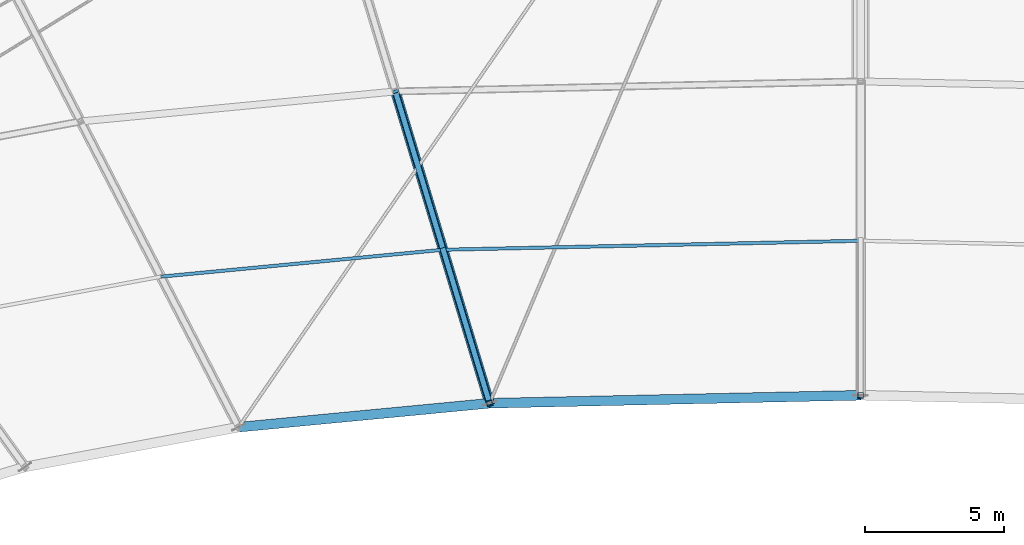
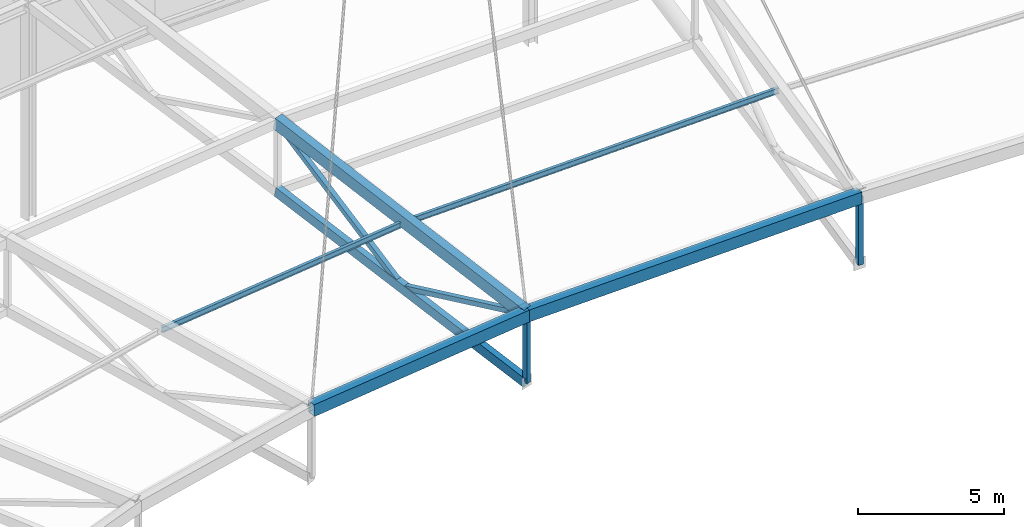
# One storey, part 54 of 143: 6 members, 4 beams.
"""IFC4 building model written with IfcOpenShell, lengths in metres."""

from ifc_helpers import new_model, si_unit, direction, frame, origin, origin_2d, place, context, subcontext, project, spatial, hollow_rectangle, i_section, extrude, material, material_profile, profile_set, type_object, element, save


model = new_model("IFC4")

# Units and contexts
model_context = context("Model", 3, precision=1e-05, world=origin(), true_north=direction((0.0, 1.0)))
body_context = subcontext(model_context, "Body", "Model", "MODEL_VIEW")
ifc_project = project(units=[si_unit("LENGTHUNIT", "METRE"), si_unit("AREAUNIT", "SQUARE_METRE"), si_unit("VOLUMEUNIT", "CUBIC_METRE"), si_unit("PLANEANGLEUNIT", "RADIAN"), si_unit("MASSUNIT", "GRAM", prefix="KILO")], contexts=[model_context])

# Site, building, storey
site_placement = place(None, origin())
site = spatial("IfcSite", under=ifc_project, at=site_placement, CompositionType="ELEMENT")
building_placement = place(site_placement, origin())
building = spatial("IfcBuilding", under=site, at=building_placement, Name="Mphavela Belvedere Stadium", CompositionType="ELEMENT")
storey_placement = place(building_placement, frame((0.0, 0.0, 28.800048828125)))
storey = spatial("IfcBuildingStorey", under=building, at=storey_placement, Name="RF", CompositionType="ELEMENT", Elevation=28.800048828125)

# Beams
ifc_material_1 = material(Name="Steel S355", Category="steel")
ifc_material_profile_1 = material_profile(ifc_material_1, hollow_rectangle(XDim=0.35009765625, YDim=0.5, WallThickness=0.02001953125, at=origin_2d()), Name="RHS 500x350x20")
ifc_profile_set_1 = profile_set([ifc_material_profile_1], Name="Steel S355")
beam_type_1 = type_object("IfcBeamType", Name="BM-RING-IN", PredefinedType="BEAM", material=ifc_profile_set_1)
beam_1_placement = place(storey_placement, frame((115.0, 131.47998046875, 7.295166015625), z_axis=(-0.9997408488, -0.021533611013, -0.007385041468), x_axis=(0.021534198246, -0.999768112267, 0.0)))
element("IfcBeam", 1, at=beam_1_placement, inside=storey, type_object=beam_type_1, Name="Inner tension ring beam RB-IN-13", PredefinedType="BEAM", context=body_context, shape_type="SweptSolid", body=[
    extrude(hollow_rectangle(XDim=0.35009765625, YDim=0.5, WallThickness=0.02001953125, at=origin_2d()), origin(), (0.0, 0.0, 1.0), 13.355712890625),
])
beam_2_placement = place(storey_placement, frame((101.647705078125, 131.1923828125, 7.196533203125), z_axis=(-0.994977937372, -0.094866111189, -0.03192687099), x_axis=(0.094914497887, -0.995485428367, 0.0)))
element("IfcBeam", 2, at=beam_2_placement, inside=storey, type_object=beam_type_1, Name="Inner tension ring beam RB-IN-14", PredefinedType="BEAM", context=body_context, shape_type="SweptSolid", body=[
    extrude(hollow_rectangle(XDim=0.35009765625, YDim=0.5, WallThickness=0.02001953125, at=origin_2d()), origin(), (0.0, 0.0, 1.0), 9.076904296875),
])
ifc_material_2 = material(Name="Steel S355", Category="steel")
ifc_material_profile_2 = material_profile(ifc_material_2, hollow_rectangle(XDim=0.25, YDim=0.39990234375, WallThickness=0.01611328125, at=origin_2d()), Name="RHS 400x250x16")
ifc_profile_set_2 = profile_set([ifc_material_profile_2], Name="Steel S355")
beam_type_2 = type_object("IfcBeamType", Name="BM-TRUSS-BC2", PredefinedType="BEAM", material=ifc_profile_set_2)
beam_3_placement = place(storey_placement, frame((98.257568359375, 142.413330078125, 6.734375), z_axis=(0.283393510492, -0.937998641489, -0.199616298871), x_axis=(0.957264409521, 0.289214194439, 0.0)))
element("IfcBeam", 3, at=beam_3_placement, inside=storey, type_object=beam_type_2, Name="Radial roof truss RT-14 bottom chord 3", PredefinedType="BEAM", context=body_context, shape_type="SweptSolid", body=[
    extrude(hollow_rectangle(XDim=0.25, YDim=0.39990234375, WallThickness=0.01611328125, at=origin_2d()), origin(), (0.0, 0.0, 1.0), 11.962646484375),
])
ifc_material_3 = material(Name="Steel S355", Category="steel")
ifc_material_profile_3 = material_profile(ifc_material_3, hollow_rectangle(XDim=0.35009765625, YDim=0.5, WallThickness=0.02001953125, at=origin_2d()), Name="RHS 500x350x20")
ifc_profile_set_3 = profile_set([ifc_material_profile_3], Name="Steel S355")
beam_type_3 = type_object("IfcBeamType", Name="BM-TRUSS-TC2", PredefinedType="BEAM", material=ifc_profile_set_3)
beam_4_placement = place(storey_placement, frame((98.257568359375, 142.413330078125, 9.63427734375), z_axis=(0.283155833182, -0.937211958007, -0.20360874221), x_axis=(0.957264409521, 0.289214194439, 0.0)))
element("IfcBeam", 4, at=beam_4_placement, inside=storey, type_object=beam_type_3, Name="Radial roof truss RT-14 top chord 3", PredefinedType="BEAM", context=body_context, shape_type="SweptSolid", body=[
    extrude(hollow_rectangle(XDim=0.35009765625, YDim=0.5, WallThickness=0.02001953125, at=origin_2d()), origin(), (0.0, 0.0, 1.0), 11.97265625),
])

# Members
ifc_material_4 = material(Name="Steel S355", Category="steel")
ifc_material_profile_4 = material_profile(ifc_material_4, hollow_rectangle(XDim=0.199951171875, YDim=0.199951171875, WallThickness=0.010009765625, at=origin_2d()), Name="SHS 200x200x10")
ifc_profile_set_4 = profile_set([ifc_material_profile_4], Name="Steel S355")
member_type_1 = type_object("IfcMemberType", Name="MEM-POST-SHS200", PredefinedType="POST", material=ifc_profile_set_4)
for number, where, z_axis, x_axis, name in (
    (5, (115.0, 131.47998046875, 4.445068359375), (0.0, 0.0, 1.0), (0.0, 1.0, 0.0), "Radial roof truss RT-13 post P4"),
    (6, (101.647705078125, 131.1923828125, 4.346435546875), (0.0, 0.0, 1.0), (-0.289198876314, 0.957269037387, 0.0), "Radial roof truss RT-14 post P4"),
):
    element("IfcMember", number, at=place(storey_placement, frame(where, z_axis=z_axis, x_axis=x_axis)), inside=storey, type_object=member_type_1, Name=name, PredefinedType="POST", context=body_context, shape_type="SweptSolid", body=[
        extrude(hollow_rectangle(XDim=0.199951171875, YDim=0.199951171875, WallThickness=0.010009765625, at=origin_2d()), origin(), (0.0, 0.0, 1.0), 2.85009765625),
    ])
member_1_placement = place(storey_placement, frame((98.257568359375, 142.413330078125, 9.63427734375), z_axis=(0.237105915859, -0.784775161519, -0.572633155281), x_axis=(0.957262667334, 0.289219960805, 0.0)))
element("IfcMember", 7, at=member_1_placement, inside=storey, type_object=member_type_1, Name="Radial roof truss RT-14 web diagonal D5", PredefinedType="POST", context=body_context, shape_type="SweptSolid", body=[
    extrude(hollow_rectangle(XDim=0.199951171875, YDim=0.199951171875, WallThickness=0.010009765625, at=origin_2d()), origin(), (0.0, 0.0, 1.0), 7.14892578125),
])
member_2_placement = place(storey_placement, frame((99.95263671875, 136.802978515625, 5.54052734375), z_axis=(0.278312725012, -0.921201891618, 0.271899065787), x_axis=(0.957266151603, 0.289208428292, 0.0)))
element("IfcMember", 8, at=member_2_placement, inside=storey, type_object=member_type_1, Name="Radial roof truss RT-14 web diagonal D6", PredefinedType="POST", context=body_context, shape_type="SweptSolid", body=[
    extrude(hollow_rectangle(XDim=0.199951171875, YDim=0.199951171875, WallThickness=0.010009765625, at=origin_2d()), origin(), (0.0, 0.0, 1.0), 6.090576171875),
])
ifc_material_5 = material(Name="Steel S355", Category="steel")
ifc_material_profile_5 = material_profile(ifc_material_5, i_section(OverallWidth=0.1201171875, OverallDepth=0.239990234375, WebThickness=0.006103515625, FlangeThickness=0.009765625, at=origin_2d()), Name="IPE 240")
ifc_profile_set_5 = profile_set([ifc_material_profile_5], Name="Steel S355")
member_type_2 = type_object("IfcMemberType", Name="MEM-PURLIN-IPE240", PredefinedType="PURLIN", material=ifc_profile_set_5)
member_3_placement = place(storey_placement, frame((115.0, 137.0400390625, 8.34765625), z_axis=(-0.999740873069, -0.021529680576, -0.007393211066), x_axis=(0.021530269002, -0.999768196892, 0.0)))
element("IfcMember", 9, at=member_3_placement, inside=storey, type_object=member_type_2, Name="Saddle canopy steel purlin 13-1", PredefinedType="PURLIN", context=body_context, shape_type="SweptSolid", body=[
    extrude(i_section(OverallWidth=0.1201171875, OverallDepth=0.239990234375, WebThickness=0.006103515625, FlangeThickness=0.009765625, at=origin_2d()), origin(), (0.0, 0.0, 1.0), 15.025146484375),
])
member_4_placement = place(storey_placement, frame((99.978759765625, 136.716552734375, 8.236572265625), z_axis=(-0.994978938534, -0.094866915638, -0.031893262465), x_axis=(0.094915200851, -0.995485361343, 0.0)))
element("IfcMember", 10, at=member_4_placement, inside=storey, type_object=member_type_2, Name="Saddle canopy steel purlin 14-1", PredefinedType="PURLIN", context=body_context, shape_type="SweptSolid", body=[
    extrude(i_section(OverallWidth=0.1201171875, OverallDepth=0.239990234375, WebThickness=0.006103515625, FlangeThickness=0.009765625, at=origin_2d()), origin(), (0.0, 0.0, 1.0), 10.211669921875),
])

save(model, "model.ifc")
